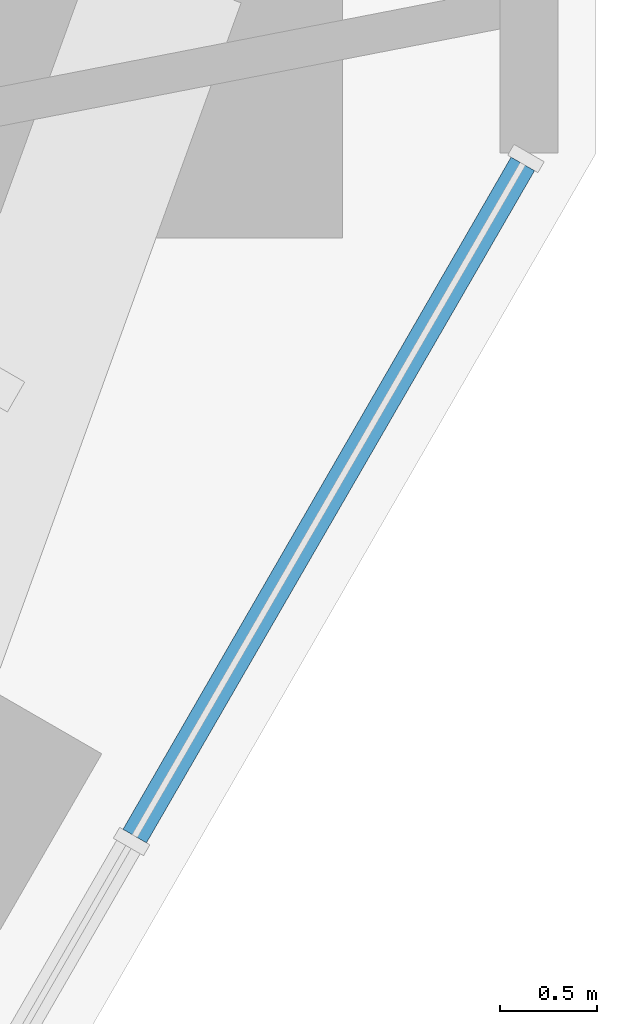
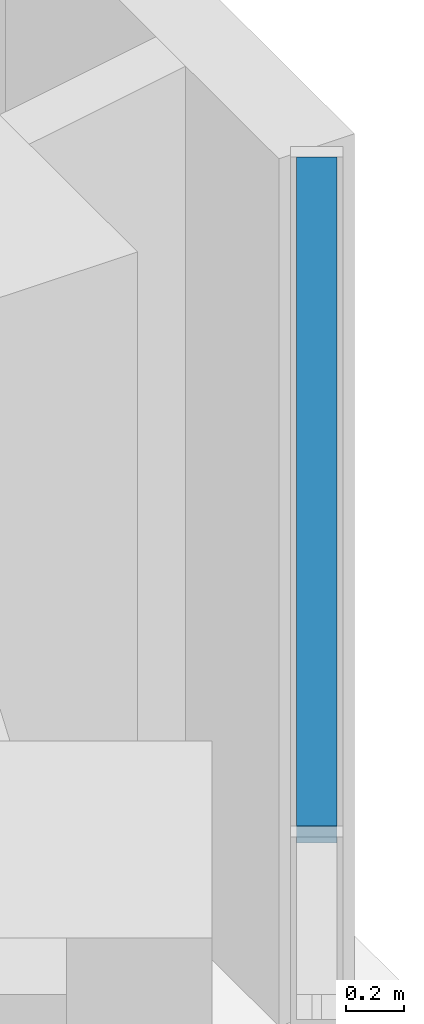
# One storey, part 6 of 17: 1 member, 1 element without a shape of its own.
"""IFC4 building model written with IfcOpenShell, lengths in metres."""

from ifc_helpers import new_model, si_unit, direction, frame, origin, origin_2d, place, context, subcontext, project, spatial, rectangle, extrude, material, material_profile, profile_set, type_object, element, aggregate, save


model = new_model("IFC4")

# Units and contexts
model_context = context("Model", 3, precision=1e-05, world=origin(), true_north=direction((0.0, 1.0)))
body_context = subcontext(model_context, "Body", "Model", "MODEL_VIEW")
ifc_project = project(units=[si_unit("LENGTHUNIT", "METRE"), si_unit("AREAUNIT", "SQUARE_METRE"), si_unit("VOLUMEUNIT", "CUBIC_METRE"), si_unit("PLANEANGLEUNIT", "RADIAN"), si_unit("MASSUNIT", "GRAM", prefix="KILO")], contexts=[model_context])

# Site, building, storey
site_placement = place(None, origin())
site = spatial("IfcSite", under=ifc_project, at=site_placement, CompositionType="ELEMENT")
building_placement = place(site_placement, origin())
building = spatial("IfcBuilding", under=site, at=building_placement, Name="Sandreach Pilgrim Tower", CompositionType="ELEMENT")
storey_placement = place(building_placement, frame((0.0, 0.0, 138.60009765625)))
storey = spatial("IfcBuildingStorey", under=building, at=storey_placement, Name="L34", CompositionType="ELEMENT", Elevation=138.60009765625)

# Curtain wall, member
ifc_material_1 = material(Name="Aluminium framed curtain wall", Category="aluminium")
curtain_wall_type = type_object("IfcCurtainWallType", Name="Hotel tower curtain wall", PredefinedType="NOTDEFINED", material=ifc_material_1)
curtain_wall_placement = place(storey_placement, origin())
curtain_wall = element("IfcCurtainWall", 1, at=curtain_wall_placement, inside=storey, type_object=curtain_wall_type, Name="CW-2 L34 SE", PredefinedType="NOTDEFINED")
ifc_material_2 = material(Name="Aluminium extrusion", Category="aluminium")
ifc_material_profile = material_profile(ifc_material_2, rectangle(XDim=0.139892578125, YDim=0.070068359375, at=origin_2d()), Name="CW-2T 140X70")
ifc_profile_set = profile_set([ifc_material_profile], Name="Aluminium extrusion")
member_type = type_object("IfcMemberType", Name="CW-2 transom", PredefinedType="USERDEFINED", material=ifc_profile_set)
member_placement = place(storey_placement, frame((28.6884765625, 4.7021484375, 3.60498046875), z_axis=(-0.500015851672, -0.866016251624, 0.0), x_axis=(0.866016251624, -0.500015851672, 0.0)))
member = element("IfcMember", 2, at=member_placement, type_object=member_type, Name="CW-2 head transom 1", ObjectType="TRANSOM", PredefinedType="USERDEFINED", context=body_context, shape_type="SweptSolid", body=[
    extrude(rectangle(XDim=0.139892578125, YDim=0.070068359375, at=origin_2d()), origin(), (0.0, 0.0, 1.0), 4.009521484375),
])
aggregate(curtain_wall, [member])

save(model, "model.ifc")
